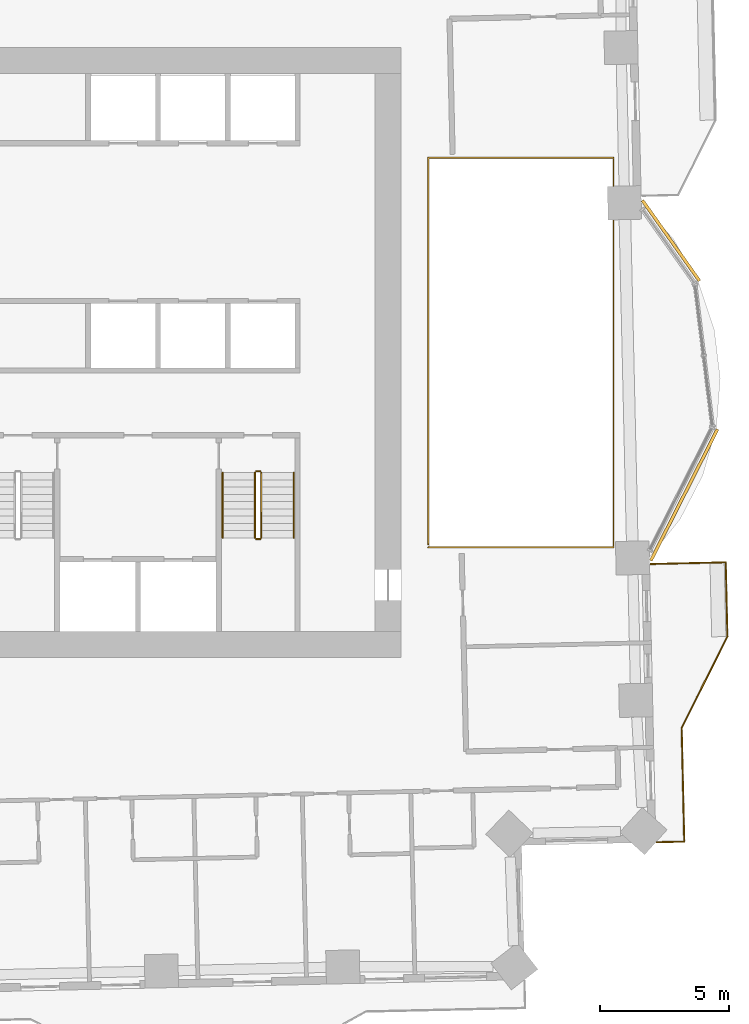
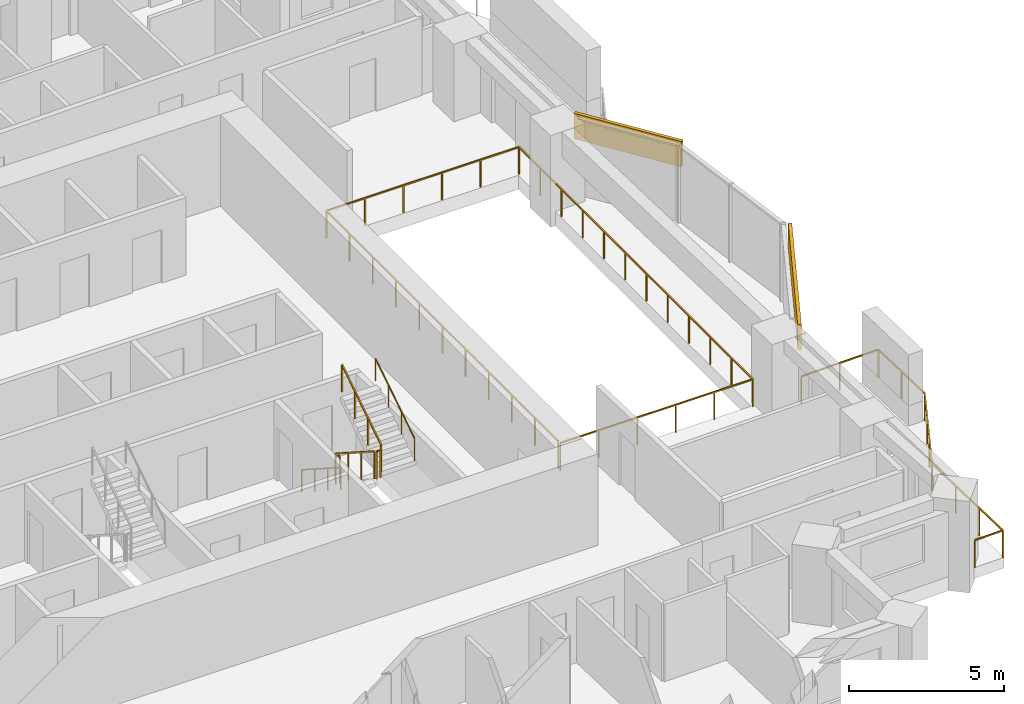
# One storey, part 15 of 16: 8 railings, 2 coverings.
"""IFC4 building model written with IfcOpenShell, lengths in metres."""

from ifc_helpers import new_model, si_unit, direction, frame, frame_2d, origin, origin_2d, place, context, subcontext, project, spatial, rectangle, circle, extrude, material, layer, layer_set, type_object, element, save


model = new_model("IFC4")

# Units and contexts
model_context = context("Model", 3, precision=1e-05, world=origin(), true_north=direction((0.0, 1.0)))
body_context = subcontext(model_context, "Body", "Model", "MODEL_VIEW")
ifc_project = project(units=[si_unit("LENGTHUNIT", "METRE"), si_unit("AREAUNIT", "SQUARE_METRE"), si_unit("VOLUMEUNIT", "CUBIC_METRE"), si_unit("PLANEANGLEUNIT", "RADIAN"), si_unit("MASSUNIT", "GRAM", prefix="KILO")], contexts=[model_context])

# Site, building, storey
site_placement = place(None, origin())
site = spatial("IfcSite", under=ifc_project, at=site_placement, CompositionType="ELEMENT")
building_placement = place(site_placement, origin())
building = spatial("IfcBuilding", under=site, at=building_placement, Name="Mangrove Gate Tower", CompositionType="ELEMENT")
storey_placement = place(building_placement, frame((0.0, 0.0, 133.699951171875)))
storey = spatial("IfcBuildingStorey", under=building, at=storey_placement, Name="L33", CompositionType="ELEMENT", Elevation=133.699951171875)

# Railings
ifc_material_1 = material(Name="Stainless steel grade 316 with laminated glass infill", Category="steel")
railing_type_1 = type_object("IfcRailingType", Name="Balcony guard 1100", PredefinedType="GUARDRAIL", material=ifc_material_1)
railing_1_placement = place(storey_placement, frame((24.7109375, -18.95703125, 0.0)))
element("IfcRailing", 1, at=railing_1_placement, inside=storey, type_object=railing_type_1, Name="GUARD L33 E1", PredefinedType="GUARDRAIL", context=body_context, shape_type="SweptSolid", body=[
    extrude(rectangle(XDim=0.048095703125, YDim=0.048095703125, at=origin_2d()), frame((0.0, 0.0, 1.076171875), z_axis=(0.999765742531, 0.021643938231, 0.0), x_axis=(-0.021643938231, 0.999765742531, 0.0)), (0.0, 0.0, 1.0), 1.060302734375),
    extrude(rectangle(XDim=0.048095703125, YDim=0.048095703125, at=origin_2d()), frame((1.06005859375, 0.02294921875, 1.076171875), z_axis=(-0.022747872013, 0.999741233679, 0.0), x_axis=(-0.999741233679, -0.022747872013, 0.0)), (0.0, 0.0, 1.0), 4.400390625),
    extrude(rectangle(XDim=0.048095703125, YDim=0.048095703125, at=origin_2d()), frame((0.9599609375, 4.422119140625, 1.076171875), z_axis=(0.447114919141, 0.894476522376, 0.0), x_axis=(-0.894476522376, 0.447114919141, 0.0)), (0.0, 0.0, 1.0), 3.958740234375),
    extrude(rectangle(XDim=0.048095703125, YDim=0.048095703125, at=origin_2d()), frame((2.72998046875, 7.963134765625, 1.076171875), z_axis=(-0.02259214234, 0.99974476498, 0.0), x_axis=(-0.99974476498, -0.02259214234, 0.0)), (0.0, 0.0, 1.0), 2.87451171875),
    extrude(rectangle(XDim=0.048095703125, YDim=0.048095703125, at=origin_2d()), frame((2.6650390625, 10.8369140625, 1.076171875), z_axis=(-0.999743349437, -0.022654696127, 0.0), x_axis=(0.022654696127, -0.999743349437, 0.0)), (0.0, 0.0, 1.0), 2.90966796875),
    extrude(rectangle(XDim=0.0419921875, YDim=0.0419921875, at=origin_2d()), origin(), (0.0, 0.0, 1.0), 1.052001953125),
    extrude(rectangle(XDim=0.0419921875, YDim=0.0419921875, at=origin_2d()), frame((1.06005859375, 0.02294921875, 0.0)), (0.0, 0.0, 1.0), 1.052001953125),
    extrude(rectangle(XDim=0.0419921875, YDim=0.0419921875, at=origin_2d()), frame((1.026611328125, 1.4892578125, 0.0)), (0.0, 0.0, 1.0), 1.052001953125),
    extrude(rectangle(XDim=0.0419921875, YDim=0.0419921875, at=origin_2d()), frame((0.993408203125, 2.955810546875, 0.0)), (0.0, 0.0, 1.0), 1.052001953125),
    extrude(rectangle(XDim=0.0419921875, YDim=0.0419921875, at=origin_2d()), frame((0.9599609375, 4.422119140625, 0.0)), (0.0, 0.0, 1.0), 1.052001953125),
    extrude(rectangle(XDim=0.0419921875, YDim=0.0419921875, at=origin_2d()), frame((1.550048828125, 5.6025390625, 0.0)), (0.0, 0.0, 1.0), 1.052001953125),
    extrude(rectangle(XDim=0.0419921875, YDim=0.0419921875, at=origin_2d()), frame((2.139892578125, 6.78271484375, 0.0)), (0.0, 0.0, 1.0), 1.052001953125),
    extrude(rectangle(XDim=0.0419921875, YDim=0.0419921875, at=origin_2d()), frame((2.72998046875, 7.963134765625, 0.0)), (0.0, 0.0, 1.0), 1.052001953125),
    extrude(rectangle(XDim=0.0419921875, YDim=0.0419921875, at=origin_2d()), frame((2.697509765625, 9.39990234375, 0.0)), (0.0, 0.0, 1.0), 1.052001953125),
    extrude(rectangle(XDim=0.0419921875, YDim=0.0419921875, at=origin_2d()), frame((2.6650390625, 10.8369140625, 0.0)), (0.0, 0.0, 1.0), 1.052001953125),
    extrude(rectangle(XDim=0.0419921875, YDim=0.0419921875, at=origin_2d()), frame((1.21044921875, 10.803955078125, 0.0)), (0.0, 0.0, 1.0), 1.052001953125),
    extrude(rectangle(XDim=0.0419921875, YDim=0.0419921875, at=origin_2d()), frame((-0.243896484375, 10.77099609375, 0.0)), (0.0, 0.0, 1.0), 1.052001953125),
])
railing_2_placement = place(storey_placement, frame((15.860107421875, -7.5400390625, 0.0)))
element("IfcRailing", 2, at=railing_2_placement, inside=storey, type_object=railing_type_1, Name="GUARD L33 atrium", PredefinedType="GUARDRAIL", context=body_context, shape_type="SweptSolid", body=[
    extrude(rectangle(XDim=0.048095703125, YDim=0.048095703125, at=origin_2d()), frame((0.0, 0.0, 1.076171875), z_axis=(1.0, 0.0, 0.0), x_axis=(0.0, 1.0, 0.0)), (0.0, 0.0, 1.0), 7.1748046875),
    extrude(rectangle(XDim=0.048095703125, YDim=0.048095703125, at=origin_2d()), frame((7.1748046875, 0.0, 1.076171875), z_axis=(0.0, 1.0, 0.0), x_axis=(-1.0, 0.0, 0.0)), (0.0, 0.0, 1.0), 15.080078125),
    extrude(rectangle(XDim=0.048095703125, YDim=0.048095703125, at=origin_2d()), frame((7.1748046875, 15.080078125, 1.076171875), z_axis=(-1.0, 0.0, 0.0), x_axis=(0.0, -1.0, 0.0)), (0.0, 0.0, 1.0), 7.1748046875),
    extrude(rectangle(XDim=0.048095703125, YDim=0.048095703125, at=origin_2d()), frame((0.0, 15.080078125, 1.076171875), z_axis=(0.0, -1.0, 0.0), x_axis=(1.0, 0.0, 0.0)), (0.0, 0.0, 1.0), 14.9599609375),
    extrude(rectangle(XDim=0.0419921875, YDim=0.0419921875, at=origin_2d()), origin(), (0.0, 0.0, 1.0), 1.052001953125),
    extrude(rectangle(XDim=0.0419921875, YDim=0.0419921875, at=origin_2d()), frame((1.43505859375, 0.0, 0.0)), (0.0, 0.0, 1.0), 1.052001953125),
    extrude(rectangle(XDim=0.0419921875, YDim=0.0419921875, at=origin_2d()), frame((2.869873046875, 0.0, 0.0)), (0.0, 0.0, 1.0), 1.052001953125),
    extrude(rectangle(XDim=0.0419921875, YDim=0.0419921875, at=origin_2d()), frame((4.304931640625, 0.0, 0.0)), (0.0, 0.0, 1.0), 1.052001953125),
    extrude(rectangle(XDim=0.0419921875, YDim=0.0419921875, at=origin_2d()), frame((5.73974609375, 0.0, 0.0)), (0.0, 0.0, 1.0), 1.052001953125),
    extrude(rectangle(XDim=0.0419921875, YDim=0.0419921875, at=origin_2d()), frame((7.1748046875, 0.0, 0.0)), (0.0, 0.0, 1.0), 1.052001953125),
    extrude(rectangle(XDim=0.0419921875, YDim=0.0419921875, at=origin_2d()), frame((7.1748046875, 1.370849609375, 0.0)), (0.0, 0.0, 1.0), 1.052001953125),
    extrude(rectangle(XDim=0.0419921875, YDim=0.0419921875, at=origin_2d()), frame((7.1748046875, 2.741943359375, 0.0)), (0.0, 0.0, 1.0), 1.052001953125),
    extrude(rectangle(XDim=0.0419921875, YDim=0.0419921875, at=origin_2d()), frame((7.1748046875, 4.11279296875, 0.0)), (0.0, 0.0, 1.0), 1.052001953125),
    extrude(rectangle(XDim=0.0419921875, YDim=0.0419921875, at=origin_2d()), frame((7.1748046875, 5.483642578125, 0.0)), (0.0, 0.0, 1.0), 1.052001953125),
    extrude(rectangle(XDim=0.0419921875, YDim=0.0419921875, at=origin_2d()), frame((7.1748046875, 6.8544921875, 0.0)), (0.0, 0.0, 1.0), 1.052001953125),
    extrude(rectangle(XDim=0.0419921875, YDim=0.0419921875, at=origin_2d()), frame((7.1748046875, 8.2255859375, 0.0)), (0.0, 0.0, 1.0), 1.052001953125),
    extrude(rectangle(XDim=0.0419921875, YDim=0.0419921875, at=origin_2d()), frame((7.1748046875, 9.596435546875, 0.0)), (0.0, 0.0, 1.0), 1.052001953125),
    extrude(rectangle(XDim=0.0419921875, YDim=0.0419921875, at=origin_2d()), frame((7.1748046875, 10.96728515625, 0.0)), (0.0, 0.0, 1.0), 1.052001953125),
    extrude(rectangle(XDim=0.0419921875, YDim=0.0419921875, at=origin_2d()), frame((7.1748046875, 12.338134765625, 0.0)), (0.0, 0.0, 1.0), 1.052001953125),
    extrude(rectangle(XDim=0.0419921875, YDim=0.0419921875, at=origin_2d()), frame((7.1748046875, 13.709228515625, 0.0)), (0.0, 0.0, 1.0), 1.052001953125),
    extrude(rectangle(XDim=0.0419921875, YDim=0.0419921875, at=origin_2d()), frame((7.1748046875, 15.080078125, 0.0)), (0.0, 0.0, 1.0), 1.052001953125),
    extrude(rectangle(XDim=0.0419921875, YDim=0.0419921875, at=origin_2d()), frame((5.73974609375, 15.080078125, 0.0)), (0.0, 0.0, 1.0), 1.052001953125),
    extrude(rectangle(XDim=0.0419921875, YDim=0.0419921875, at=origin_2d()), frame((4.304931640625, 15.080078125, 0.0)), (0.0, 0.0, 1.0), 1.052001953125),
    extrude(rectangle(XDim=0.0419921875, YDim=0.0419921875, at=origin_2d()), frame((2.869873046875, 15.080078125, 0.0)), (0.0, 0.0, 1.0), 1.052001953125),
    extrude(rectangle(XDim=0.0419921875, YDim=0.0419921875, at=origin_2d()), frame((1.43505859375, 15.080078125, 0.0)), (0.0, 0.0, 1.0), 1.052001953125),
    extrude(rectangle(XDim=0.0419921875, YDim=0.0419921875, at=origin_2d()), frame((0.0, 15.080078125, 0.0)), (0.0, 0.0, 1.0), 1.052001953125),
    extrude(rectangle(XDim=0.0419921875, YDim=0.0419921875, at=origin_2d()), frame((0.0, 13.583984375, 0.0)), (0.0, 0.0, 1.0), 1.052001953125),
    extrude(rectangle(XDim=0.0419921875, YDim=0.0419921875, at=origin_2d()), frame((0.0, 12.088134765625, 0.0)), (0.0, 0.0, 1.0), 1.052001953125),
    extrude(rectangle(XDim=0.0419921875, YDim=0.0419921875, at=origin_2d()), frame((0.0, 10.592041015625, 0.0)), (0.0, 0.0, 1.0), 1.052001953125),
    extrude(rectangle(XDim=0.0419921875, YDim=0.0419921875, at=origin_2d()), frame((0.0, 9.09619140625, 0.0)), (0.0, 0.0, 1.0), 1.052001953125),
    extrude(rectangle(XDim=0.0419921875, YDim=0.0419921875, at=origin_2d()), frame((0.0, 7.60009765625, 0.0)), (0.0, 0.0, 1.0), 1.052001953125),
    extrude(rectangle(XDim=0.0419921875, YDim=0.0419921875, at=origin_2d()), frame((0.0, 6.10400390625, 0.0)), (0.0, 0.0, 1.0), 1.052001953125),
    extrude(rectangle(XDim=0.0419921875, YDim=0.0419921875, at=origin_2d()), frame((0.0, 4.608154296875, 0.0)), (0.0, 0.0, 1.0), 1.052001953125),
    extrude(rectangle(XDim=0.0419921875, YDim=0.0419921875, at=origin_2d()), frame((0.0, 3.112060546875, 0.0)), (0.0, 0.0, 1.0), 1.052001953125),
    extrude(rectangle(XDim=0.0419921875, YDim=0.0419921875, at=origin_2d()), frame((0.0, 1.6162109375, 0.0)), (0.0, 0.0, 1.0), 1.052001953125),
    extrude(rectangle(XDim=0.0419921875, YDim=0.0419921875, at=origin_2d()), frame((0.0, 0.1201171875, 0.0)), (0.0, 0.0, 1.0), 1.052001953125),
])
ifc_material_2 = material(Name="Stainless steel 316", Category="steel")
railing_type_2 = type_object("IfcRailingType", Name="Core stair guard 1100", PredefinedType="GUARDRAIL", material=ifc_material_2)
railing_3_placement = place(storey_placement, frame((9.14990234375, -4.64990234375, 0.179931640625)))
element("IfcRailing", 3, at=railing_3_placement, inside=storey, type_object=railing_type_2, Name="L33 ST3 stair guard 1", PredefinedType="GUARDRAIL", context=body_context, shape_type="SweptSolid", body=[
    extrude(rectangle(XDim=0.048095703125, YDim=0.048095703125, at=origin_2d()), frame((0.0, 0.0, 1.076171875), z_axis=(0.0, -0.841162588446, 0.540782303519), x_axis=(1.0, 0.0, 0.0)), (0.0, 0.0, 1.0), 2.995849609375),
    extrude(rectangle(XDim=0.0419921875, YDim=0.0419921875, at=origin_2d()), origin(), (0.0, 0.0, 1.0), 1.052001953125),
    extrude(rectangle(XDim=0.0419921875, YDim=0.0419921875, at=origin_2d()), frame((0.0, -0.840087890625, 0.5400390625)), (0.0, 0.0, 1.0), 1.052001953125),
    extrude(rectangle(XDim=0.0419921875, YDim=0.0419921875, at=origin_2d()), frame((0.0, -1.679931640625, 1.080078125)), (0.0, 0.0, 1.0), 1.052001953125),
    extrude(rectangle(XDim=0.0419921875, YDim=0.0419921875, at=origin_2d()), frame((0.0, -2.52001953125, 1.6201171875)), (0.0, 0.0, 1.0), 1.052001953125),
])
railing_4_placement = place(storey_placement, frame((9.199951171875, -7.219970703125, 1.800048828125)))
element("IfcRailing", 4, at=railing_4_placement, inside=storey, type_object=railing_type_2, Name="L33 ST3 stair guard 2", PredefinedType="GUARDRAIL", context=body_context, shape_type="SweptSolid", body=[
    extrude(rectangle(XDim=0.048095703125, YDim=0.048095703125, at=origin_2d()), frame((0.0, 0.0, 1.076171875), z_axis=(1.0, 0.0, 0.0), x_axis=(0.0, 1.0, 0.0)), (0.0, 0.0, 1.0), 0.150146484375),
    extrude(rectangle(XDim=0.0419921875, YDim=0.0419921875, at=origin_2d()), origin(), (0.0, 0.0, 1.0), 1.052001953125),
    extrude(rectangle(XDim=0.0419921875, YDim=0.0419921875, at=origin_2d()), frame((0.150146484375, 0.0, 0.0)), (0.0, 0.0, 1.0), 1.052001953125),
])
railing_5_placement = place(storey_placement, frame((9.39990234375, -7.169921875, 1.97998046875)))
element("IfcRailing", 5, at=railing_5_placement, inside=storey, type_object=railing_type_2, Name="L33 ST3 stair guard 3", PredefinedType="GUARDRAIL", context=body_context, shape_type="SweptSolid", body=[
    extrude(rectangle(XDim=0.048095703125, YDim=0.048095703125, at=origin_2d()), frame((0.0, 0.0, 1.076171875), z_axis=(0.0, 0.841162588446, 0.540782303519), x_axis=(-1.0, 0.0, 0.0)), (0.0, 0.0, 1.0), 2.995849609375),
    extrude(rectangle(XDim=0.0419921875, YDim=0.0419921875, at=origin_2d()), origin(), (0.0, 0.0, 1.0), 1.052001953125),
    extrude(rectangle(XDim=0.0419921875, YDim=0.0419921875, at=origin_2d()), frame((0.0, 0.840087890625, 0.5400390625)), (0.0, 0.0, 1.0), 1.052001953125),
    extrude(rectangle(XDim=0.0419921875, YDim=0.0419921875, at=origin_2d()), frame((0.0, 1.679931640625, 1.080078125)), (0.0, 0.0, 1.0), 1.052001953125),
    extrude(rectangle(XDim=0.0419921875, YDim=0.0419921875, at=origin_2d()), frame((0.0, 2.52001953125, 1.6201171875)), (0.0, 0.0, 1.0), 1.052001953125),
])
railing_6_placement = place(storey_placement, frame((9.199951171875, -4.60009765625, 0.0)))
element("IfcRailing", 6, at=railing_6_placement, inside=storey, type_object=railing_type_2, Name="L33 ST3 stair guard 4", PredefinedType="GUARDRAIL", context=body_context, shape_type="SweptSolid", body=[
    extrude(rectangle(XDim=0.048095703125, YDim=0.048095703125, at=origin_2d()), frame((0.0, 0.0, 1.076171875), z_axis=(1.0, 0.0, 0.0), x_axis=(0.0, 1.0, 0.0)), (0.0, 0.0, 1.0), 0.150146484375),
    extrude(rectangle(XDim=0.0419921875, YDim=0.0419921875, at=origin_2d()), origin(), (0.0, 0.0, 1.0), 1.052001953125),
    extrude(rectangle(XDim=0.0419921875, YDim=0.0419921875, at=origin_2d()), frame((0.150146484375, 0.0, 0.0)), (0.0, 0.0, 1.0), 1.052001953125),
])
ifc_material_3 = material(Name="Stainless steel 316", Category="steel")
railing_type_3 = type_object("IfcRailingType", Name="Core stair handrail 900", PredefinedType="HANDRAIL", material=ifc_material_3)
railing_7_placement = place(storey_placement, frame((7.89990234375, -4.64990234375, 0.179931640625)))
element("IfcRailing", 7, at=railing_7_placement, inside=storey, type_object=railing_type_3, Name="L33 ST3 stair handrail 1", PredefinedType="HANDRAIL", context=body_context, shape_type="SweptSolid", body=[
    extrude(circle(Radius=0.02392578125, at=origin_2d()), frame((0.0, 0.0, 0.8759765625), z_axis=(0.0, -0.841162588446, 0.540782303519), x_axis=(1.0, 0.0, 0.0)), (0.0, 0.0, 1.0), 2.995849609375),
    extrude(circle(Radius=0.02099609375, at=origin_2d()), origin(), (0.0, 0.0, 1.0), 0.851806640625),
    extrude(circle(Radius=0.02099609375, at=origin_2d()), frame((0.0, -0.840087890625, 0.5400390625)), (0.0, 0.0, 1.0), 0.851806640625),
    extrude(circle(Radius=0.02099609375, at=origin_2d()), frame((0.0, -1.679931640625, 1.080078125)), (0.0, 0.0, 1.0), 0.851806640625),
    extrude(circle(Radius=0.02099609375, at=origin_2d()), frame((0.0, -2.52001953125, 1.6201171875)), (0.0, 0.0, 1.0), 0.851806640625),
])
railing_8_placement = place(storey_placement, frame((10.64990234375, -7.169921875, 1.97998046875)))
element("IfcRailing", 8, at=railing_8_placement, inside=storey, type_object=railing_type_3, Name="L33 ST3 stair handrail 2", PredefinedType="HANDRAIL", context=body_context, shape_type="SweptSolid", body=[
    extrude(circle(Radius=0.02392578125, at=origin_2d()), frame((0.0, 0.0, 0.8759765625), z_axis=(0.0, 0.841162588446, 0.540782303519), x_axis=(-1.0, 0.0, 0.0)), (0.0, 0.0, 1.0), 2.995849609375),
    extrude(circle(Radius=0.02099609375, at=origin_2d()), origin(), (0.0, 0.0, 1.0), 0.851806640625),
    extrude(circle(Radius=0.02099609375, at=origin_2d()), frame((0.0, 0.840087890625, 0.5400390625)), (0.0, 0.0, 1.0), 0.851806640625),
    extrude(circle(Radius=0.02099609375, at=origin_2d()), frame((0.0, 1.679931640625, 1.080078125)), (0.0, 0.0, 1.0), 0.851806640625),
    extrude(circle(Radius=0.02099609375, at=origin_2d()), frame((0.0, 2.52001953125, 1.6201171875)), (0.0, 0.0, 1.0), 0.851806640625),
])

# Coverings
ifc_material_4 = material(Name="Limestone", Category="masonry")
ifc_layer_1 = layer(ifc_material_4, 0.0400390625, Name="Limestone cladding")
ifc_material_5 = material(Name="Stainless steel anchors and cavity", Category="steel")
ifc_layer_2 = layer(ifc_material_5, 0.080078125, Name="Fixing cavity")
ifc_layer_set = layer_set([ifc_layer_1, ifc_layer_2], Name="Joint fascia cladding 120")
covering_type = type_object("IfcCoveringType", Name="Joint fascia cladding 120", PredefinedType="CLADDING", material=ifc_layer_set)
covering_1_placement = place(storey_placement, frame((24.47412109375, -8.059326171875, 2.050048828125), z_axis=(0.0, 0.0, 1.0), x_axis=(0.452615399326, 0.89170583731, 0.0)))
element("IfcCovering", 9, at=covering_1_placement, inside=storey, type_object=covering_type, Name="STONE FASCIA L33 E1.L1", PredefinedType="CLADDING", context=body_context, shape_type="SweptSolid", body=[
    extrude(rectangle(XDim=5.7041015625, YDim=0.1201171875, at=frame_2d((2.85205078125, 0.0))), origin(), (0.0, 0.0, 1.0), 1.0),
])
covering_2_placement = place(storey_placement, frame((26.35888671875, 2.77490234375, 2.050048828125), z_axis=(0.0, 0.0, 1.0), x_axis=(-0.578137942148, 0.815939041748, 0.0)))
element("IfcCovering", 10, at=covering_2_placement, inside=storey, type_object=covering_type, Name="STONE FASCIA L33 E1.L2", PredefinedType="CLADDING", context=body_context, shape_type="SweptSolid", body=[
    extrude(rectangle(XDim=3.819091796875, YDim=0.1201171875, at=frame_2d((1.90966796875, 0.0))), origin(), (0.0, 0.0, 1.0), 1.0),
])

save(model, "model.ifc")
